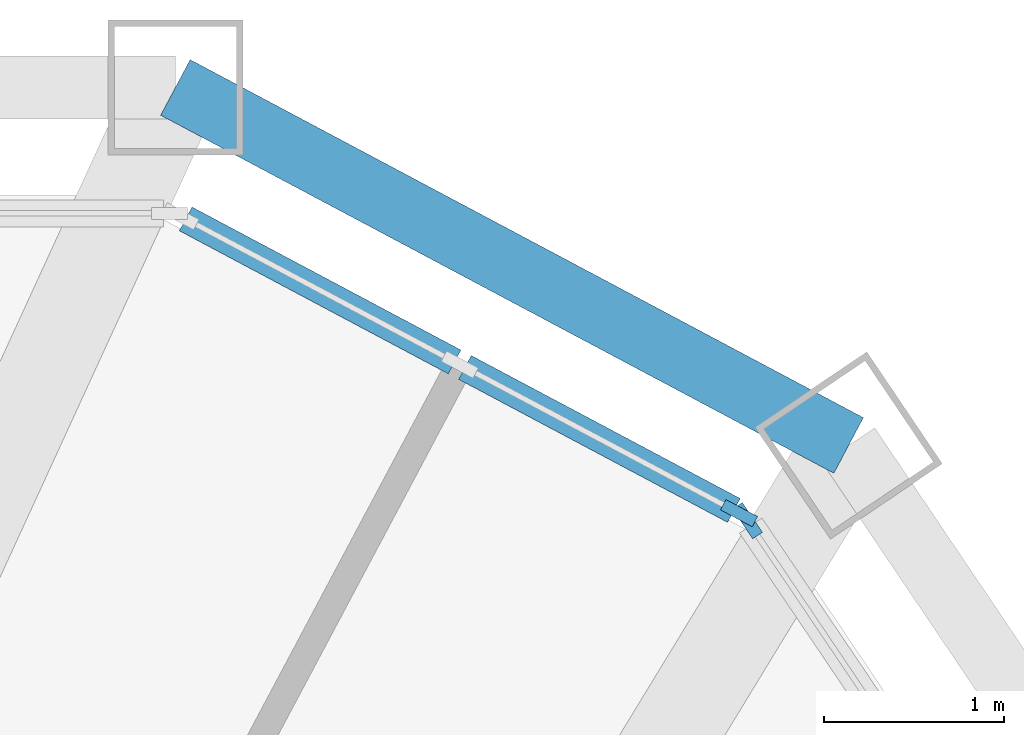
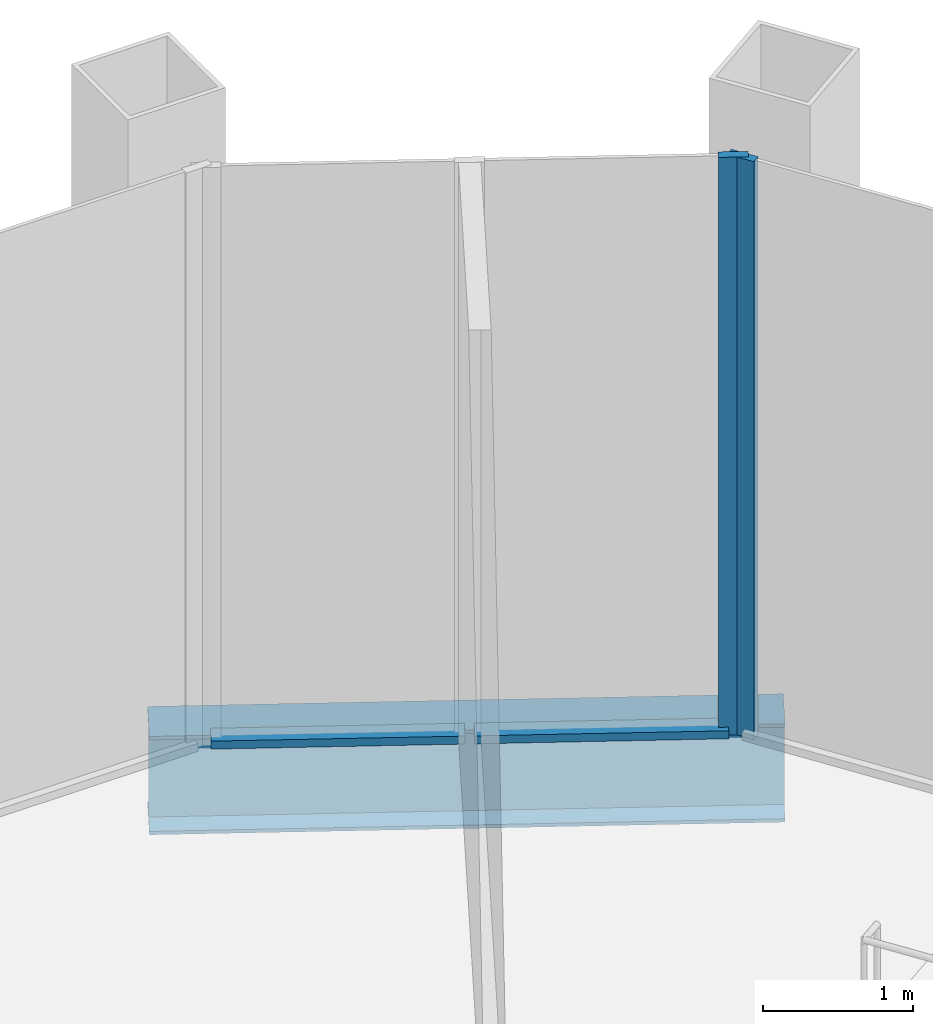
# One storey, part 11 of 18: 4 members, 1 beam, 2 elements without a shape of their own.
"""IFC4 building model written with IfcOpenShell, lengths in metres."""

from ifc_helpers import new_model, si_unit, direction, frame, origin, origin_2d, place, context, subcontext, project, spatial, rectangle, i_section, extrude, material, material_profile, profile_set, type_object, element, aggregate, save


model = new_model("IFC4")

# Units and contexts
model_context = context("Model", 3, precision=1e-05, world=origin(), true_north=direction((0.0, 1.0)))
body_context = subcontext(model_context, "Body", "Model", "MODEL_VIEW")
ifc_project = project(units=[si_unit("LENGTHUNIT", "METRE"), si_unit("AREAUNIT", "SQUARE_METRE"), si_unit("VOLUMEUNIT", "CUBIC_METRE"), si_unit("PLANEANGLEUNIT", "RADIAN"), si_unit("MASSUNIT", "GRAM", prefix="KILO")], contexts=[model_context])

# Site, building, storey
site_placement = place(None, origin())
site = spatial("IfcSite", under=ifc_project, at=site_placement, CompositionType="ELEMENT")
building_placement = place(site_placement, origin())
building = spatial("IfcBuilding", under=site, at=building_placement, Name="Qingtian Harvest Tower", CompositionType="ELEMENT")
storey_placement = place(building_placement, frame((0.0, 0.0, 12.0)))
storey = spatial("IfcBuildingStorey", under=building, at=storey_placement, Name="L02", CompositionType="ELEMENT", Elevation=12.0)

# Curtain wall, member
ifc_material_1 = material(Name="Bronze-anodised aluminium curtain wall", Category="aluminium")
curtain_wall_type = type_object("IfcCurtainWallType", Name="Curtain wall CW1 podium shopfront", PredefinedType="USERDEFINED", material=ifc_material_1)
curtain_wall_1_placement = place(storey_placement, origin())
curtain_wall_1 = element("IfcCurtainWall", 1, at=curtain_wall_1_placement, inside=storey, type_object=curtain_wall_type, Name="Curtain wall CW1 L02 NC", ObjectType="RECESSED CURTAIN WALL", PredefinedType="USERDEFINED")
ifc_material_2 = material(Name="Bronze-anodised aluminium mullion", Category="aluminium")
ifc_material_profile_1 = material_profile(ifc_material_2, rectangle(XDim=0.06494140625, YDim=0.199951171875, at=origin_2d()), Name="AL 65x200")
ifc_profile_set_1 = profile_set([ifc_material_profile_1], Name="Bronze-anodised aluminium mullion")
member_type_1 = type_object("IfcMemberType", Name="Mullion CWM 65x200", PredefinedType="MULLION", material=ifc_profile_set_1)
member_1_placement = place(storey_placement, frame((18.279541015625, 30.634033203125, 0.0), z_axis=(0.0, 0.0, 1.0), x_axis=(0.469471562786, 0.882947592859, 0.0)))
member_1 = element("IfcMember", 2, at=member_1_placement, type_object=member_type_1, Name="CW1 mullion 3", PredefinedType="MULLION", context=body_context, shape_type="SweptSolid", body=[
    extrude(rectangle(XDim=0.06494140625, YDim=0.199951171875, at=origin_2d()), origin(), (0.0, 0.0, 1.0), 4.699951171875),
])

curtain_wall_2_placement = place(storey_placement, origin())
curtain_wall_2 = element("IfcCurtainWall", 3, at=curtain_wall_2_placement, inside=storey, type_object=curtain_wall_type, Name="Curtain wall CW1 L02 NE0-1", ObjectType="RECESSED CURTAIN WALL", PredefinedType="USERDEFINED")
member_2_placement = place(storey_placement, frame((18.326416015625, 30.592041015625, 0.0), z_axis=(0.0, 0.0, 1.0), x_axis=(0.829037572555, 0.559192903471, 0.0)))
member_2 = element("IfcMember", 4, at=member_2_placement, type_object=member_type_1, Name="CW1 mullion 1", PredefinedType="MULLION", context=body_context, shape_type="SweptSolid", body=[
    extrude(rectangle(XDim=0.06494140625, YDim=0.199951171875, at=origin_2d()), origin(), (0.0, 0.0, 1.0), 4.699951171875),
])
aggregate(curtain_wall_2, [member_2])

# Beam
ifc_material_3 = material(Name="Steel SN490B", Category="steel")
ifc_material_profile_2 = material_profile(ifc_material_3, i_section(OverallWidth=0.35009765625, OverallDepth=0.800048828125, WebThickness=0.01611328125, FlangeThickness=0.028076171875, at=origin_2d()), Name="H800x350x16x28")
ifc_profile_set_2 = profile_set([ifc_material_profile_2], Name="Steel SN490B")
beam_type = type_object("IfcBeamType", Name="Podium beam PB1 H800x350x16x28", PredefinedType="BEAM", material=ifc_profile_set_2)
beam_placement = place(storey_placement, frame((15.146484375, 33.0, -0.64990234375), z_axis=(0.882935902835, -0.469493547863, 0.0), x_axis=(0.469493547863, 0.882935902835, 0.0)))
element("IfcBeam", 5, at=beam_placement, inside=storey, type_object=beam_type, Name="Podium edge beam PB1 N4", PredefinedType="BEAM", context=body_context, shape_type="SweptSolid", body=[
    extrude(i_section(OverallWidth=0.35009765625, OverallDepth=0.800048828125, WebThickness=0.01611328125, FlangeThickness=0.028076171875, at=origin_2d()), origin(), (0.0, 0.0, 1.0), 4.238037109375),
])

# Member
ifc_material_4 = material(Name="Bronze-anodised aluminium transom", Category="aluminium")
ifc_material_profile_3 = material_profile(ifc_material_4, rectangle(XDim=0.14990234375, YDim=0.06494140625, at=origin_2d()), Name="AL 65x150")
ifc_profile_set_3 = profile_set([ifc_material_profile_3], Name="Bronze-anodised aluminium transom")
member_type_2 = type_object("IfcMemberType", Name="Transom CWT 65x150", PredefinedType="USERDEFINED", material=ifc_profile_set_3)
member_3_placement = place(storey_placement, frame((15.203857421875, 32.26953125, 0.032470703125), z_axis=(0.882895287784, -0.469569921108, 0.0), x_axis=(0.469569921108, 0.882895287784, 0.0)))
member_3 = element("IfcMember", 6, at=member_3_placement, type_object=member_type_2, Name="CW1 transom 1.1", ObjectType="TRANSOM", PredefinedType="USERDEFINED", context=body_context, shape_type="SweptSolid", body=[
    extrude(rectangle(XDim=0.14990234375, YDim=0.06494140625, at=origin_2d()), origin(), (0.0, 0.0, 1.0), 1.69287109375),
])

member_4_placement = place(storey_placement, frame((16.755859375, 31.444091796875, 0.032470703125), z_axis=(0.882986854304, -0.469397715297, 0.0), x_axis=(0.469397715297, 0.882986854304, 0.0)))
member_4 = element("IfcMember", 7, at=member_4_placement, type_object=member_type_2, Name="CW1 transom 2.1", ObjectType="TRANSOM", PredefinedType="USERDEFINED", context=body_context, shape_type="SweptSolid", body=[
    extrude(rectangle(XDim=0.14990234375, YDim=0.06494140625, at=origin_2d()), origin(), (0.0, 0.0, 1.0), 1.69287109375),
])

aggregate(curtain_wall_1, [member_1, member_3, member_4])

save(model, "model.ifc")
